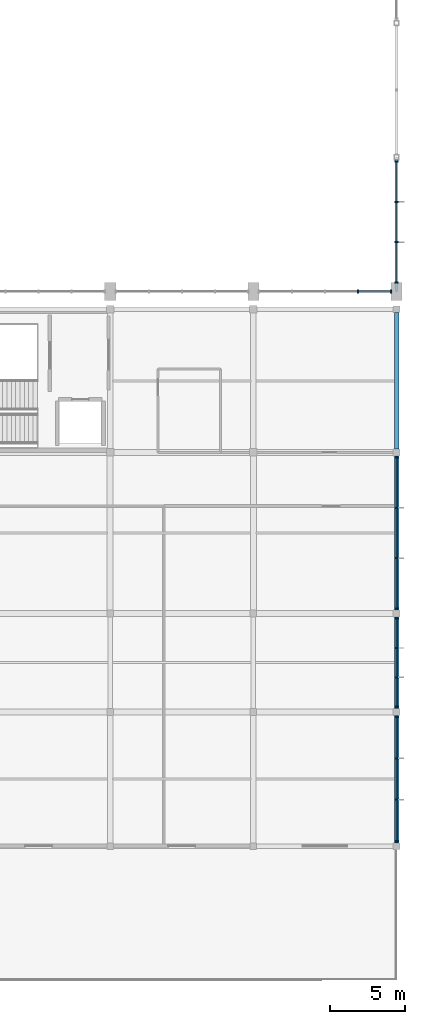
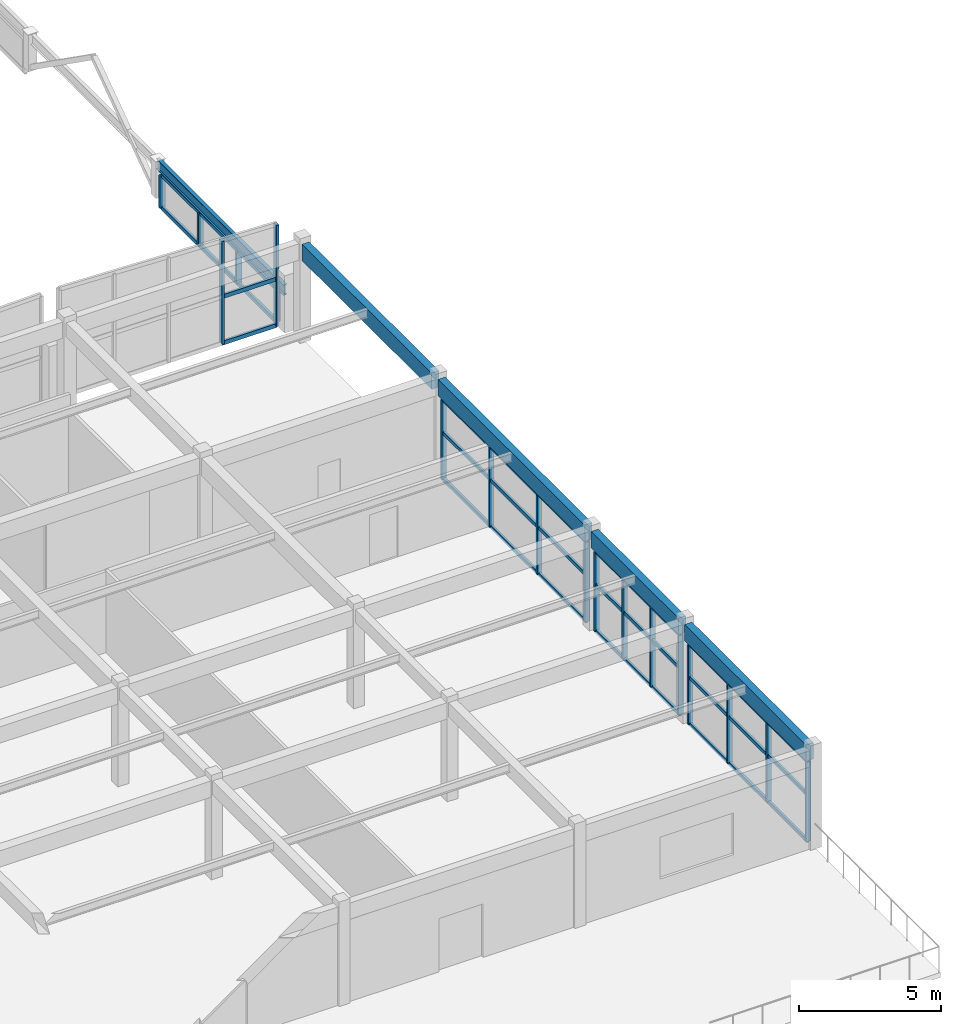
# One storey, part 41 of 89: 45 members, 5 beams, 5 elements without a shape of their own.
"""IFC4 building model written with IfcOpenShell, lengths in metres."""

import ifcopenshell
import ifcopenshell.guid

model = None  # the IFC model being written
_history = None  # IfcOwnerHistory: only IFC2X3 demands one
_inside = {}  # id of a spatial element -> (the spatial element, [elements in it])
_under = {}  # id of a project, library or spatial element -> (it, [spatial elements below it])
_declared = {}  # id of a project -> (the project, [libraries it declares])
_typed = {}  # id of a type object -> (the type object, [elements of that type])
_made_of = {}  # id of a material, layer set ... -> (it, [elements and type objects made of it])


def new_model(schema):
    """Start an empty IFC model of exactly this schema.

    Asked for "IFC4X3", IfcOpenShell would pick the latest addendum, in which some entities
    have other attributes; the version numbers below select the first issue.
    IFC2X3 requires an IfcOwnerHistory on every rooted entity: one is made here for all.
    """
    global model, _history
    if schema == "IFC4X3":
        model = ifcopenshell.file(schema_version=(4, 3, 0, 0))
    else:
        model = ifcopenshell.file(schema=schema)
    _inside.clear()
    _under.clear()
    _declared.clear()
    _typed.clear()
    _made_of.clear()
    _history = None
    if model.schema == "IFC2X3":
        org = make("IfcOrganization", Name="unknown")
        user = make(
            "IfcPersonAndOrganization",
            ThePerson=make("IfcPerson", FamilyName="unknown"),
            TheOrganization=org,
        )
        app = make(
            "IfcApplication",
            ApplicationDeveloper=org,
            Version="unknown",
            ApplicationFullName="unknown",
            ApplicationIdentifier="unknown",
        )
        _history = make(
            "IfcOwnerHistory",
            OwningUser=user,
            OwningApplication=app,
            ChangeAction="ADDED",
            CreationDate=0,
        )
    return model


def make(cls, **values):
    """One entity of the class cls with the attributes given. An attribute that is None is left unset."""
    return model.create_entity(
        cls, **{name: value for name, value in values.items() if value is not None}
    )


def rooted(cls, **values):
    """An entity with a GlobalId (a new one), such as an element, a storey or a relation."""
    return make(cls, GlobalId=ifcopenshell.guid.new(), OwnerHistory=_history, **values)


def si_unit(unit_type, name, prefix=None):
    """IfcSIUnit, for example si_unit("LENGTHUNIT", "METRE", prefix="MILLI")."""
    return make("IfcSIUnit", UnitType=unit_type, Prefix=prefix, Name=name)


def assignment(units):
    """IfcUnitAssignment: the units of a project."""
    return None if units is None else make("IfcUnitAssignment", Units=units)


def point(xyz):
    """IfcCartesianPoint."""
    return None if xyz is None else make("IfcCartesianPoint", Coordinates=xyz)


def direction(xyz):
    """IfcDirection."""
    return None if xyz is None else make("IfcDirection", DirectionRatios=xyz)


def frame(location, z_axis=None, x_axis=None):
    """IfcAxis2Placement3D, a coordinate frame: its origin and axes. An axis left out is left unset."""
    return make(
        "IfcAxis2Placement3D",
        Location=point(location),
        Axis=direction(z_axis),
        RefDirection=direction(x_axis),
    )


def frame_2d(location, x_axis=None):
    """IfcAxis2Placement2D, a coordinate frame in the plane: its origin and x axis."""
    return make(
        "IfcAxis2Placement2D", Location=point(location), RefDirection=direction(x_axis)
    )


def origin():
    """The frame at (0, 0, 0) with its axes left unset."""
    return frame((0.0, 0.0, 0.0))


def origin_2d():
    """The frame at (0, 0) in the plane with its x axis left unset."""
    return frame_2d((0.0, 0.0))


def place(relative_to, where):
    """IfcLocalPlacement: puts the frame where relative to a parent placement (None: the world)."""
    return make(
        "IfcLocalPlacement", PlacementRelTo=relative_to, RelativePlacement=where
    )


def context(
    kind, dimensions, precision=None, world=None, true_north=None, identifier=None
):
    """IfcGeometricRepresentationContext, for example the 3D "Model" context."""
    return make(
        "IfcGeometricRepresentationContext",
        ContextIdentifier=identifier,
        ContextType=kind,
        CoordinateSpaceDimension=dimensions,
        Precision=precision,
        WorldCoordinateSystem=world,
        TrueNorth=true_north,
    )


def subcontext(parent, identifier, kind, view, scale=None):
    """IfcGeometricRepresentationSubContext, for example "Body" below "Model"."""
    return make(
        "IfcGeometricRepresentationSubContext",
        ContextIdentifier=identifier,
        ContextType=kind,
        ParentContext=parent,
        TargetScale=scale,
        TargetView=view,
    )


def project(units=None, contexts=None):
    """IfcProject with its units and contexts."""
    return rooted(
        "IfcProject",
        Name="project",
        RepresentationContexts=contexts,
        UnitsInContext=assignment(units),
    )


def spatial(cls, under=None, at=None, **own):
    """A site, building, storey or space (cls), placed at a placement, below another one or the project."""
    s = rooted(cls, ObjectPlacement=at, **own)
    if under is not None:
        _under.setdefault(under.id(), (under, []))[1].append(s)
    return s


def profile(cls, at=None, kind="AREA", **sizes):
    """A parametric profile (cls). Its sizes go by their IFC names, for example OverallWidth=200.0."""
    return make(cls, ProfileType=kind, Position=at, **sizes)


def rectangle(**sizes):
    """IfcRectangleProfileDef."""
    return profile("IfcRectangleProfileDef", **sizes)


def i_section(**sizes):
    """IfcIShapeProfileDef."""
    return profile("IfcIShapeProfileDef", **sizes)


def extrude(swept, where, along, depth):
    """IfcExtrudedAreaSolid: the profile swept, set in the frame where, extruded along a direction by depth."""
    return make(
        "IfcExtrudedAreaSolid",
        SweptArea=swept,
        Position=where,
        ExtrudedDirection=direction(along),
        Depth=depth,
    )


def shape(context_of_items, identifier, shape_type, items):
    """IfcShapeRepresentation: the items that make up one representation, for example the "Body"."""
    return make(
        "IfcShapeRepresentation",
        ContextOfItems=context_of_items,
        RepresentationIdentifier=identifier,
        RepresentationType=shape_type,
        Items=items,
    )


def material(Name=None, Category=None):
    """IfcMaterial."""
    return make("IfcMaterial", Name=Name, Category=Category)


def material_profile(
    of_material, cross_section, Name=None, Category=None, Priority=None
):
    """IfcMaterialProfile: a cross section and its material."""
    return make(
        "IfcMaterialProfile",
        Name=Name,
        Material=of_material,
        Profile=cross_section,
        Priority=Priority,
        Category=Category,
    )


def profile_set(profiles, Name=None, composite=None):
    """IfcMaterialProfileSet."""
    return make(
        "IfcMaterialProfileSet",
        Name=Name,
        MaterialProfiles=profiles,
        CompositeProfile=composite,
    )


def made_of(thing, what):
    """Note that an element or type object is made of a material, layer set ...; save() writes the relation."""
    if what is not None:
        _made_of.setdefault(what.id(), (what, []))[1].append(thing)
    return thing


def type_object(cls, material=None, **own):
    """A type object (cls), such as IfcWallType, which elements share."""
    return made_of(rooted(cls, **own), material)


def element(
    cls,
    number,
    at=None,
    inside=None,
    cuts=None,
    type_object=None,
    material=None,
    context=None,
    identifier="Body",
    shape_type=None,
    held_by="IfcProductDefinitionShape",
    body=None,
    shapes=None,
    **own,
):
    """One element of the class cls, such as IfcWall. Its Tag is "e" and its number.

    at: its placement. inside: the storey or other place that contains it. cuts: it is an
    opening in that element (IfcRelVoidsElement). A single representation is given by context,
    identifier, shape_type and body (its items); several are given by shapes. held_by: the class
    of the entity that holds the representations. save() writes the other relations.
    """
    e = rooted(cls, Tag="e%d" % number, ObjectPlacement=at, **own)
    if body is not None:
        shapes = [shape(context, identifier, shape_type, body)]
    if shapes is not None:
        e.Representation = make(held_by, Representations=shapes)
    if inside is not None:
        _inside.setdefault(inside.id(), (inside, []))[1].append(e)
    if cuts is not None:
        rooted(
            "IfcRelVoidsElement", RelatingBuildingElement=cuts, RelatedOpeningElement=e
        )
    if type_object is not None:
        _typed.setdefault(type_object.id(), (type_object, []))[1].append(e)
    return made_of(e, material)


def aggregate(whole, parts):
    """IfcRelAggregates: a whole, such as a stair, and the parts it consists of."""
    return rooted("IfcRelAggregates", RelatingObject=whole, RelatedObjects=parts)


def save(model, path):
    """Write the relations noted so far, then the file.

    IfcRelAggregates (storeys below a building ...), IfcRelContainedInSpatialStructure (elements
    in a storey), IfcRelDefinesByType, IfcRelAssociatesMaterial and IfcRelDeclares: one each for
    every whole, place, type object, material and project.
    """
    for whole, parts in _under.values():
        aggregate(whole, parts)
    for where, things in _inside.values():
        rooted(
            "IfcRelContainedInSpatialStructure",
            RelatedElements=things,
            RelatingStructure=where,
        )
    for kind, things in _typed.values():
        rooted("IfcRelDefinesByType", RelatedObjects=things, RelatingType=kind)
    for what, things in _made_of.values():
        rooted("IfcRelAssociatesMaterial", RelatedObjects=things, RelatingMaterial=what)
    for by, libraries in _declared.values():
        rooted("IfcRelDeclares", RelatingContext=by, RelatedDefinitions=libraries)
    model.write(path)


model = new_model("IFC4")

# Units and contexts
model_context = context("Model", 3, precision=1e-05, world=origin(), true_north=direction((0.0, 1.0)))
body_context = subcontext(model_context, "Body", "Model", "MODEL_VIEW")
ifc_project = project(units=[si_unit("LENGTHUNIT", "METRE"), si_unit("AREAUNIT", "SQUARE_METRE"), si_unit("VOLUMEUNIT", "CUBIC_METRE"), si_unit("PLANEANGLEUNIT", "RADIAN"), si_unit("MASSUNIT", "GRAM", prefix="KILO")], contexts=[model_context])

# Site, building, storey
site_placement = place(None, origin())
site = spatial("IfcSite", under=ifc_project, at=site_placement, CompositionType="ELEMENT")
building_placement = place(site_placement, origin())
building = spatial("IfcBuilding", under=site, at=building_placement, Name="Suirenkawa Promenade Aquatics Centre", CompositionType="ELEMENT")
storey_placement = place(building_placement, frame((0.0, 0.0, 9.60009765625)))
storey = spatial("IfcBuildingStorey", under=building, at=storey_placement, Name="L02", CompositionType="ELEMENT", Elevation=9.60009765625)

# Beams
ifc_material_1 = material(Name="Concrete M40", Category="concrete")
ifc_material_profile_1 = material_profile(ifc_material_1, rectangle(XDim=0.300048828125, YDim=0.699951171875, at=origin_2d()), Name="RC SPANDREL 300x700", Category="concrete")
ifc_profile_set_1 = profile_set([ifc_material_profile_1], Name="Concrete M40")
beam_type_1 = type_object("IfcBeamType", Name="BT-SPANDREL-300x700", PredefinedType="SPANDREL", material=ifc_profile_set_1)
beam_1_placement = place(storey_placement, frame((194.39990234375, 13.4189453125, 3.89990234375), z_axis=(0.0, 1.0, 0.0), x_axis=(-1.0, 0.0, 0.0)))
element("IfcBeam", 1, at=beam_1_placement, inside=storey, type_object=beam_type_1, Name="Floor beam SP-01 BM-1776", PredefinedType="SPANDREL", context=body_context, shape_type="SweptSolid", body=[
    extrude(rectangle(XDim=0.300048828125, YDim=0.699951171875, at=origin_2d()), origin(), (0.0, 0.0, 1.0), 8.56201171875),
])
beam_2_placement = place(storey_placement, frame((194.39990234375, 22.4189453125, 3.89990234375), z_axis=(0.0, 1.0, 0.0), x_axis=(-1.0, 0.0, 0.0)))
element("IfcBeam", 2, at=beam_2_placement, inside=storey, type_object=beam_type_1, Name="Floor beam SP-01 BM-1777", PredefinedType="SPANDREL", context=body_context, shape_type="SweptSolid", body=[
    extrude(rectangle(XDim=0.300048828125, YDim=0.699951171875, at=origin_2d()), origin(), (0.0, 0.0, 1.0), 6.162109375),
])
beam_3_placement = place(storey_placement, frame((194.39990234375, 29.01904296875, 3.89990234375), z_axis=(0.0, 1.0, 0.0), x_axis=(-1.0, 0.0, 0.0)))
element("IfcBeam", 3, at=beam_3_placement, inside=storey, type_object=beam_type_1, Name="Floor beam SP-01 BM-1778", PredefinedType="SPANDREL", context=body_context, shape_type="SweptSolid", body=[
    extrude(rectangle(XDim=0.300048828125, YDim=0.699951171875, at=origin_2d()), origin(), (0.0, 0.0, 1.0), 10.362060546875),
])
beam_4_placement = place(storey_placement, frame((194.39990234375, 39.819091796875, 3.89990234375), z_axis=(0.0, 1.0, 0.0), x_axis=(-1.0, 0.0, 0.0)))
element("IfcBeam", 4, at=beam_4_placement, inside=storey, type_object=beam_type_1, Name="Floor beam SP-01 BM-1779", PredefinedType="SPANDREL", context=body_context, shape_type="SweptSolid", body=[
    extrude(rectangle(XDim=0.300048828125, YDim=0.699951171875, at=origin_2d()), origin(), (0.0, 0.0, 1.0), 9.161865234375),
])
ifc_material_2 = material(Name="Steel IS 2062 E350 (Grade 350)", Category="steel")
ifc_material_profile_2 = material_profile(ifc_material_2, i_section(OverallWidth=0.14990234375, OverallDepth=0.449951171875, WebThickness=0.009033203125, FlangeThickness=0.01708984375, at=origin_2d()), Name="ISMB 450", Category="steel")
ifc_profile_set_2 = profile_set([ifc_material_profile_2], Name="Steel IS 2062 E350 (Grade 350)")
beam_type_2 = type_object("IfcBeamType", Name="BT-STL-ISMB450", PredefinedType="BEAM", material=ifc_profile_set_2)
beam_5_placement = place(storey_placement, frame((194.39990234375, 50.39990234375, 1.375), z_axis=(0.0, 1.0, 0.0), x_axis=(-1.0, 0.0, 0.0)))
element("IfcBeam", 5, at=beam_5_placement, inside=storey, type_object=beam_type_2, Name="Diving hall wind girt BM-08 BM-1365", PredefinedType="BEAM", context=body_context, shape_type="SweptSolid", body=[
    extrude(i_section(OverallWidth=0.14990234375, OverallDepth=0.449951171875, WebThickness=0.009033203125, FlangeThickness=0.01708984375, at=origin_2d()), origin(), (0.0, 0.0, 1.0), 9.0),
])

# Curtain wall, members
ifc_material_3 = material(Name="Anodised aluminium 6063-T6", Category="aluminium")
curtain_wall_type_1 = type_object("IfcCurtainWallType", Name="CWAT-V4EL02-37", PredefinedType="NOTDEFINED", material=ifc_material_3)
curtain_wall_1_placement = place(storey_placement, origin())
curtain_wall_1 = element("IfcCurtainWall", 6, at=curtain_wall_1_placement, inside=storey, type_object=curtain_wall_type_1, Name="Curtain wall CWA-37 CW-080", PredefinedType="NOTDEFINED")
ifc_material_profile_3 = material_profile(ifc_material_3, rectangle(XDim=0.094970703125, YDim=0.18994140625, at=origin_2d()), Name="ALU MULL 95x190", Category="aluminium")
ifc_profile_set_3 = profile_set([ifc_material_profile_3], Name="Anodised aluminium 6063-T6")
member_type_1 = type_object("IfcMemberType", Name="CWM-190x95", PredefinedType="MULLION", material=ifc_profile_set_3)
member_1_placement = place(storey_placement, frame((194.39990234375, 21.85107421875, 0.0), z_axis=(0.0, 0.0, 1.0), x_axis=(0.0, -1.0, 0.0)))
member_1 = element("IfcMember", 7, at=member_1_placement, type_object=member_type_1, Name="Mullion ML-02 CWM-01584", PredefinedType="MULLION", context=body_context, shape_type="SweptSolid", body=[
    extrude(rectangle(XDim=0.094970703125, YDim=0.18994140625, at=origin_2d()), origin(), (0.0, 0.0, 1.0), 3.419921875),
])
member_2_placement = place(storey_placement, frame((194.39990234375, 19.083740234375, 0.0), z_axis=(0.0, 0.0, 1.0), x_axis=(0.0, -1.0, 0.0)))
member_2 = element("IfcMember", 8, at=member_2_placement, type_object=member_type_1, Name="Mullion ML-02 CWM-01585", PredefinedType="MULLION", context=body_context, shape_type="SweptSolid", body=[
    extrude(rectangle(XDim=0.094970703125, YDim=0.18994140625, at=origin_2d()), origin(), (0.0, 0.0, 1.0), 3.419921875),
])
member_3_placement = place(storey_placement, frame((194.39990234375, 16.31640625, 0.0), z_axis=(0.0, 0.0, 1.0), x_axis=(0.0, -1.0, 0.0)))
member_3 = element("IfcMember", 9, at=member_3_placement, type_object=member_type_1, Name="Mullion ML-02 CWM-01586", PredefinedType="MULLION", context=body_context, shape_type="SweptSolid", body=[
    extrude(rectangle(XDim=0.094970703125, YDim=0.18994140625, at=origin_2d()), origin(), (0.0, 0.0, 1.0), 3.419921875),
])
member_4_placement = place(storey_placement, frame((194.39990234375, 13.549072265625, 0.0), z_axis=(0.0, 0.0, 1.0), x_axis=(0.0, -1.0, 0.0)))
member_4 = element("IfcMember", 10, at=member_4_placement, type_object=member_type_1, Name="Mullion ML-02 CWM-01587", PredefinedType="MULLION", context=body_context, shape_type="SweptSolid", body=[
    extrude(rectangle(XDim=0.094970703125, YDim=0.18994140625, at=origin_2d()), origin(), (0.0, 0.0, 1.0), 3.419921875),
])

curtain_wall_type_2 = type_object("IfcCurtainWallType", Name="CWAT-V4EL02-39", PredefinedType="NOTDEFINED", material=ifc_material_3)
curtain_wall_2_placement = place(storey_placement, origin())
curtain_wall_2 = element("IfcCurtainWall", 11, at=curtain_wall_2_placement, inside=storey, type_object=curtain_wall_type_2, Name="Curtain wall CWA-39 CW-082", PredefinedType="NOTDEFINED")
member_5_placement = place(storey_placement, frame((194.39990234375, 28.450927734375, 0.0), z_axis=(0.0, 0.0, 1.0), x_axis=(0.0, -1.0, 0.0)))
member_5 = element("IfcMember", 12, at=member_5_placement, type_object=member_type_1, Name="Mullion ML-02 CWM-01618", PredefinedType="MULLION", context=body_context, shape_type="SweptSolid", body=[
    extrude(rectangle(XDim=0.094970703125, YDim=0.18994140625, at=origin_2d()), origin(), (0.0, 0.0, 1.0), 3.419921875),
])
member_6_placement = place(storey_placement, frame((194.39990234375, 26.483642578125, 0.0), z_axis=(0.0, 0.0, 1.0), x_axis=(0.0, -1.0, 0.0)))
member_6 = element("IfcMember", 13, at=member_6_placement, type_object=member_type_1, Name="Mullion ML-02 CWM-01619", PredefinedType="MULLION", context=body_context, shape_type="SweptSolid", body=[
    extrude(rectangle(XDim=0.094970703125, YDim=0.18994140625, at=origin_2d()), origin(), (0.0, 0.0, 1.0), 3.419921875),
])
member_7_placement = place(storey_placement, frame((194.39990234375, 24.516357421875, 0.0), z_axis=(0.0, 0.0, 1.0), x_axis=(0.0, -1.0, 0.0)))
member_7 = element("IfcMember", 14, at=member_7_placement, type_object=member_type_1, Name="Mullion ML-02 CWM-01620", PredefinedType="MULLION", context=body_context, shape_type="SweptSolid", body=[
    extrude(rectangle(XDim=0.094970703125, YDim=0.18994140625, at=origin_2d()), origin(), (0.0, 0.0, 1.0), 3.419921875),
])
member_8_placement = place(storey_placement, frame((194.39990234375, 22.549072265625, 0.0), z_axis=(0.0, 0.0, 1.0), x_axis=(0.0, -1.0, 0.0)))
member_8 = element("IfcMember", 15, at=member_8_placement, type_object=member_type_1, Name="Mullion ML-02 CWM-01621", PredefinedType="MULLION", context=body_context, shape_type="SweptSolid", body=[
    extrude(rectangle(XDim=0.094970703125, YDim=0.18994140625, at=origin_2d()), origin(), (0.0, 0.0, 1.0), 3.419921875),
])

curtain_wall_type_3 = type_object("IfcCurtainWallType", Name="CWAT-V4EL02-41", PredefinedType="NOTDEFINED", material=ifc_material_3)
curtain_wall_3_placement = place(storey_placement, origin())
curtain_wall_3 = element("IfcCurtainWall", 16, at=curtain_wall_3_placement, inside=storey, type_object=curtain_wall_type_3, Name="Curtain wall CWA-41 CW-084", PredefinedType="NOTDEFINED")
member_9_placement = place(storey_placement, frame((194.39990234375, 39.2509765625, 0.0), z_axis=(0.0, 0.0, 1.0), x_axis=(0.0, -1.0, 0.0)))
member_9 = element("IfcMember", 17, at=member_9_placement, type_object=member_type_1, Name="Mullion ML-02 CWM-01652", PredefinedType="MULLION", context=body_context, shape_type="SweptSolid", body=[
    extrude(rectangle(XDim=0.094970703125, YDim=0.18994140625, at=origin_2d()), origin(), (0.0, 0.0, 1.0), 3.419921875),
])
member_10_placement = place(storey_placement, frame((194.39990234375, 35.8837890625, 0.0), z_axis=(0.0, 0.0, 1.0), x_axis=(0.0, -1.0, 0.0)))
member_10 = element("IfcMember", 18, at=member_10_placement, type_object=member_type_1, Name="Mullion ML-02 CWM-01653", PredefinedType="MULLION", context=body_context, shape_type="SweptSolid", body=[
    extrude(rectangle(XDim=0.094970703125, YDim=0.18994140625, at=origin_2d()), origin(), (0.0, 0.0, 1.0), 3.419921875),
])
member_11_placement = place(storey_placement, frame((194.39990234375, 32.516357421875, 0.0), z_axis=(0.0, 0.0, 1.0), x_axis=(0.0, -1.0, 0.0)))
member_11 = element("IfcMember", 19, at=member_11_placement, type_object=member_type_1, Name="Mullion ML-02 CWM-01654", PredefinedType="MULLION", context=body_context, shape_type="SweptSolid", body=[
    extrude(rectangle(XDim=0.094970703125, YDim=0.18994140625, at=origin_2d()), origin(), (0.0, 0.0, 1.0), 3.419921875),
])
member_12_placement = place(storey_placement, frame((194.39990234375, 29.14892578125, 0.0), z_axis=(0.0, 0.0, 1.0), x_axis=(0.0, -1.0, 0.0)))
member_12 = element("IfcMember", 20, at=member_12_placement, type_object=member_type_1, Name="Mullion ML-02 CWM-01655", PredefinedType="MULLION", context=body_context, shape_type="SweptSolid", body=[
    extrude(rectangle(XDim=0.094970703125, YDim=0.18994140625, at=origin_2d()), origin(), (0.0, 0.0, 1.0), 3.419921875),
])

curtain_wall_type_4 = type_object("IfcCurtainWallType", Name="CWAT-V2S-16", PredefinedType="NOTDEFINED", material=ifc_material_3)
curtain_wall_4_placement = place(storey_placement, origin())
curtain_wall_4 = element("IfcCurtainWall", 21, at=curtain_wall_4_placement, inside=storey, type_object=curtain_wall_type_4, Name="Curtain wall CWA-16 CW-045", PredefinedType="NOTDEFINED")
ifc_material_profile_4 = material_profile(ifc_material_3, rectangle(XDim=0.10009765625, YDim=0.219970703125, at=origin_2d()), Name="ALU MULL 100x220", Category="aluminium")
ifc_profile_set_4 = profile_set([ifc_material_profile_4], Name="Anodised aluminium 6063-T6")
member_type_2 = type_object("IfcMemberType", Name="CWM-220x100", PredefinedType="MULLION", material=ifc_profile_set_4)
member_13_placement = place(storey_placement, frame((194.02587890625, 50.39990234375, 0.0), z_axis=(0.0, 0.0, 1.0), x_axis=(-1.0, 0.0, 0.0)))
member_13 = element("IfcMember", 22, at=member_13_placement, type_object=member_type_2, Name="Mullion ML-01 CWM-00917", PredefinedType="MULLION", context=body_context, shape_type="SweptSolid", body=[
    extrude(rectangle(XDim=0.10009765625, YDim=0.219970703125, at=origin_2d()), origin(), (0.0, 0.0, 1.0), 4.349853515625),
])
member_14_placement = place(storey_placement, frame((191.81298828125, 50.39990234375, 0.0), z_axis=(0.0, 0.0, 1.0), x_axis=(-1.0, 0.0, 0.0)))
member_14 = element("IfcMember", 23, at=member_14_placement, type_object=member_type_2, Name="Mullion ML-01 CWM-00918", PredefinedType="MULLION", context=body_context, shape_type="SweptSolid", body=[
    extrude(rectangle(XDim=0.10009765625, YDim=0.219970703125, at=origin_2d()), origin(), (0.0, 0.0, 1.0), 4.4248046875),
])

curtain_wall_type_5 = type_object("IfcCurtainWallType", Name="CWAT-V2E-21", PredefinedType="NOTDEFINED", material=ifc_material_3)
curtain_wall_5_placement = place(storey_placement, origin())
curtain_wall_5 = element("IfcCurtainWall", 24, at=curtain_wall_5_placement, inside=storey, type_object=curtain_wall_type_5, Name="Curtain wall CWA-21 CW-049", PredefinedType="NOTDEFINED")
member_15_placement = place(storey_placement, frame((194.39990234375, 59.10107421875, -0.35009765625), z_axis=(0.0, 0.0, 1.0), x_axis=(0.0, -1.0, 0.0)))
member_15 = element("IfcMember", 25, at=member_15_placement, type_object=member_type_2, Name="Mullion ML-01 CWM-00990", PredefinedType="MULLION", context=body_context, shape_type="SweptSolid", body=[
    extrude(rectangle(XDim=0.10009765625, YDim=0.219970703125, at=origin_2d()), origin(), (0.0, 0.0, 1.0), 1.405029296875),
])
member_16_placement = place(storey_placement, frame((194.39990234375, 56.400390625, -0.35009765625), z_axis=(0.0, 0.0, 1.0), x_axis=(0.0, -1.0, 0.0)))
member_16 = element("IfcMember", 26, at=member_16_placement, type_object=member_type_2, Name="Mullion ML-01 CWM-00991", PredefinedType="MULLION", context=body_context, shape_type="SweptSolid", body=[
    extrude(rectangle(XDim=0.10009765625, YDim=0.219970703125, at=origin_2d()), origin(), (0.0, 0.0, 1.0), 1.405029296875),
])
member_17_placement = place(storey_placement, frame((194.39990234375, 53.69970703125, -0.35009765625), z_axis=(0.0, 0.0, 1.0), x_axis=(0.0, -1.0, 0.0)))
member_17 = element("IfcMember", 27, at=member_17_placement, type_object=member_type_2, Name="Mullion ML-01 CWM-00992", PredefinedType="MULLION", context=body_context, shape_type="SweptSolid", body=[
    extrude(rectangle(XDim=0.10009765625, YDim=0.219970703125, at=origin_2d()), origin(), (0.0, 0.0, 1.0), 1.405029296875),
])
member_18_placement = place(storey_placement, frame((194.39990234375, 50.9990234375, -0.35009765625), z_axis=(0.0, 0.0, 1.0), x_axis=(0.0, -1.0, 0.0)))
member_18 = element("IfcMember", 28, at=member_18_placement, type_object=member_type_2, Name="Mullion ML-01 CWM-00993", PredefinedType="MULLION", context=body_context, shape_type="SweptSolid", body=[
    extrude(rectangle(XDim=0.10009765625, YDim=0.219970703125, at=origin_2d()), origin(), (0.0, 0.0, 1.0), 1.405029296875),
])

# Member
ifc_material_profile_5 = material_profile(ifc_material_3, rectangle(XDim=0.094970703125, YDim=0.14990234375, at=origin_2d()), Name="ALU TRAN 95x150", Category="aluminium")
ifc_profile_set_5 = profile_set([ifc_material_profile_5], Name="Anodised aluminium 6063-T6")
member_type_3 = type_object("IfcMemberType", Name="CWT-150x95", PredefinedType="USERDEFINED", material=ifc_profile_set_5)
member_19_placement = place(storey_placement, frame((194.39990234375, 21.85107421875, 0.0), z_axis=(0.0, -1.0, 0.0), x_axis=(1.0, 0.0, 0.0)))
member_19 = element("IfcMember", 29, at=member_19_placement, type_object=member_type_3, Name="Transom TR-02 CWT-01588", ObjectType="TRANSOM", PredefinedType="USERDEFINED", context=body_context, shape_type="SweptSolid", body=[
    extrude(rectangle(XDim=0.094970703125, YDim=0.14990234375, at=origin_2d()), origin(), (0.0, 0.0, 1.0), 2.767333984375),
])

member_20_placement = place(storey_placement, frame((194.39990234375, 19.083740234375, 0.0), z_axis=(0.0, -1.0, 0.0), x_axis=(1.0, 0.0, 0.0)))
member_20 = element("IfcMember", 30, at=member_20_placement, type_object=member_type_3, Name="Transom TR-02 CWT-01589", ObjectType="TRANSOM", PredefinedType="USERDEFINED", context=body_context, shape_type="SweptSolid", body=[
    extrude(rectangle(XDim=0.094970703125, YDim=0.14990234375, at=origin_2d()), origin(), (0.0, 0.0, 1.0), 2.767333984375),
])

member_21_placement = place(storey_placement, frame((194.39990234375, 16.31640625, 0.0), z_axis=(0.0, -1.0, 0.0), x_axis=(1.0, 0.0, 0.0)))
member_21 = element("IfcMember", 31, at=member_21_placement, type_object=member_type_3, Name="Transom TR-02 CWT-01590", ObjectType="TRANSOM", PredefinedType="USERDEFINED", context=body_context, shape_type="SweptSolid", body=[
    extrude(rectangle(XDim=0.094970703125, YDim=0.14990234375, at=origin_2d()), origin(), (0.0, 0.0, 1.0), 2.767333984375),
])

member_22_placement = place(storey_placement, frame((194.39990234375, 21.85107421875, 2.0), z_axis=(0.0, -1.0, 0.0), x_axis=(1.0, 0.0, 0.0)))
member_22 = element("IfcMember", 32, at=member_22_placement, type_object=member_type_3, Name="Transom TR-02 CWT-01591", ObjectType="TRANSOM", PredefinedType="USERDEFINED", context=body_context, shape_type="SweptSolid", body=[
    extrude(rectangle(XDim=0.094970703125, YDim=0.14990234375, at=origin_2d()), origin(), (0.0, 0.0, 1.0), 2.767333984375),
])

member_23_placement = place(storey_placement, frame((194.39990234375, 19.083740234375, 2.0), z_axis=(0.0, -1.0, 0.0), x_axis=(1.0, 0.0, 0.0)))
member_23 = element("IfcMember", 33, at=member_23_placement, type_object=member_type_3, Name="Transom TR-02 CWT-01592", ObjectType="TRANSOM", PredefinedType="USERDEFINED", context=body_context, shape_type="SweptSolid", body=[
    extrude(rectangle(XDim=0.094970703125, YDim=0.14990234375, at=origin_2d()), origin(), (0.0, 0.0, 1.0), 2.767333984375),
])

member_24_placement = place(storey_placement, frame((194.39990234375, 16.31640625, 2.0), z_axis=(0.0, -1.0, 0.0), x_axis=(1.0, 0.0, 0.0)))
member_24 = element("IfcMember", 34, at=member_24_placement, type_object=member_type_3, Name="Transom TR-02 CWT-01593", ObjectType="TRANSOM", PredefinedType="USERDEFINED", context=body_context, shape_type="SweptSolid", body=[
    extrude(rectangle(XDim=0.094970703125, YDim=0.14990234375, at=origin_2d()), origin(), (0.0, 0.0, 1.0), 2.767333984375),
])

member_25_placement = place(storey_placement, frame((194.39990234375, 21.85107421875, 3.419921875), z_axis=(0.0, -1.0, 0.0), x_axis=(1.0, 0.0, 0.0)))
member_25 = element("IfcMember", 35, at=member_25_placement, type_object=member_type_3, Name="Roofline transom TR-02 CWT-01594", ObjectType="TRANSOM", PredefinedType="USERDEFINED", context=body_context, shape_type="SweptSolid", body=[
    extrude(rectangle(XDim=0.094970703125, YDim=0.14990234375, at=origin_2d()), origin(), (0.0, 0.0, 1.0), 8.302001953125),
])

aggregate(curtain_wall_1, [member_1, member_2, member_3, member_4, member_19, member_20, member_21, member_22, member_23, member_24, member_25])

member_26_placement = place(storey_placement, frame((194.39990234375, 28.450927734375, 0.0), z_axis=(0.0, -1.0, 0.0), x_axis=(1.0, 0.0, 0.0)))
member_26 = element("IfcMember", 36, at=member_26_placement, type_object=member_type_3, Name="Transom TR-02 CWT-01622", ObjectType="TRANSOM", PredefinedType="USERDEFINED", context=body_context, shape_type="SweptSolid", body=[
    extrude(rectangle(XDim=0.094970703125, YDim=0.14990234375, at=origin_2d()), origin(), (0.0, 0.0, 1.0), 1.96728515625),
])

member_27_placement = place(storey_placement, frame((194.39990234375, 26.483642578125, 0.0), z_axis=(0.0, -1.0, 0.0), x_axis=(1.0, 0.0, 0.0)))
member_27 = element("IfcMember", 37, at=member_27_placement, type_object=member_type_3, Name="Transom TR-02 CWT-01623", ObjectType="TRANSOM", PredefinedType="USERDEFINED", context=body_context, shape_type="SweptSolid", body=[
    extrude(rectangle(XDim=0.094970703125, YDim=0.14990234375, at=origin_2d()), origin(), (0.0, 0.0, 1.0), 1.96728515625),
])

member_28_placement = place(storey_placement, frame((194.39990234375, 24.516357421875, 0.0), z_axis=(0.0, -1.0, 0.0), x_axis=(1.0, 0.0, 0.0)))
member_28 = element("IfcMember", 38, at=member_28_placement, type_object=member_type_3, Name="Transom TR-02 CWT-01624", ObjectType="TRANSOM", PredefinedType="USERDEFINED", context=body_context, shape_type="SweptSolid", body=[
    extrude(rectangle(XDim=0.094970703125, YDim=0.14990234375, at=origin_2d()), origin(), (0.0, 0.0, 1.0), 1.96728515625),
])

member_29_placement = place(storey_placement, frame((194.39990234375, 28.450927734375, 2.0), z_axis=(0.0, -1.0, 0.0), x_axis=(1.0, 0.0, 0.0)))
member_29 = element("IfcMember", 39, at=member_29_placement, type_object=member_type_3, Name="Transom TR-02 CWT-01625", ObjectType="TRANSOM", PredefinedType="USERDEFINED", context=body_context, shape_type="SweptSolid", body=[
    extrude(rectangle(XDim=0.094970703125, YDim=0.14990234375, at=origin_2d()), origin(), (0.0, 0.0, 1.0), 1.96728515625),
])

member_30_placement = place(storey_placement, frame((194.39990234375, 26.483642578125, 2.0), z_axis=(0.0, -1.0, 0.0), x_axis=(1.0, 0.0, 0.0)))
member_30 = element("IfcMember", 40, at=member_30_placement, type_object=member_type_3, Name="Transom TR-02 CWT-01626", ObjectType="TRANSOM", PredefinedType="USERDEFINED", context=body_context, shape_type="SweptSolid", body=[
    extrude(rectangle(XDim=0.094970703125, YDim=0.14990234375, at=origin_2d()), origin(), (0.0, 0.0, 1.0), 1.96728515625),
])

member_31_placement = place(storey_placement, frame((194.39990234375, 24.516357421875, 2.0), z_axis=(0.0, -1.0, 0.0), x_axis=(1.0, 0.0, 0.0)))
member_31 = element("IfcMember", 41, at=member_31_placement, type_object=member_type_3, Name="Transom TR-02 CWT-01627", ObjectType="TRANSOM", PredefinedType="USERDEFINED", context=body_context, shape_type="SweptSolid", body=[
    extrude(rectangle(XDim=0.094970703125, YDim=0.14990234375, at=origin_2d()), origin(), (0.0, 0.0, 1.0), 1.96728515625),
])

member_32_placement = place(storey_placement, frame((194.39990234375, 28.450927734375, 3.419921875), z_axis=(0.0, -1.0, 0.0), x_axis=(1.0, 0.0, 0.0)))
member_32 = element("IfcMember", 42, at=member_32_placement, type_object=member_type_3, Name="Roofline transom TR-02 CWT-01628", ObjectType="TRANSOM", PredefinedType="USERDEFINED", context=body_context, shape_type="SweptSolid", body=[
    extrude(rectangle(XDim=0.094970703125, YDim=0.14990234375, at=origin_2d()), origin(), (0.0, 0.0, 1.0), 5.90185546875),
])

aggregate(curtain_wall_2, [member_5, member_6, member_7, member_8, member_26, member_27, member_28, member_29, member_30, member_31, member_32])

member_33_placement = place(storey_placement, frame((194.39990234375, 39.2509765625, 0.0), z_axis=(0.0, -1.0, 0.0), x_axis=(1.0, 0.0, 0.0)))
member_33 = element("IfcMember", 43, at=member_33_placement, type_object=member_type_3, Name="Transom TR-02 CWT-01656", ObjectType="TRANSOM", PredefinedType="USERDEFINED", context=body_context, shape_type="SweptSolid", body=[
    extrude(rectangle(XDim=0.094970703125, YDim=0.14990234375, at=origin_2d()), origin(), (0.0, 0.0, 1.0), 3.3671875),
])

member_34_placement = place(storey_placement, frame((194.39990234375, 35.8837890625, 0.0), z_axis=(0.0, -1.0, 0.0), x_axis=(1.0, 0.0, 0.0)))
member_34 = element("IfcMember", 44, at=member_34_placement, type_object=member_type_3, Name="Transom TR-02 CWT-01657", ObjectType="TRANSOM", PredefinedType="USERDEFINED", context=body_context, shape_type="SweptSolid", body=[
    extrude(rectangle(XDim=0.094970703125, YDim=0.14990234375, at=origin_2d()), origin(), (0.0, 0.0, 1.0), 3.367431640625),
])

member_35_placement = place(storey_placement, frame((194.39990234375, 32.516357421875, 0.0), z_axis=(0.0, -1.0, 0.0), x_axis=(1.0, 0.0, 0.0)))
member_35 = element("IfcMember", 45, at=member_35_placement, type_object=member_type_3, Name="Transom TR-02 CWT-01658", ObjectType="TRANSOM", PredefinedType="USERDEFINED", context=body_context, shape_type="SweptSolid", body=[
    extrude(rectangle(XDim=0.094970703125, YDim=0.14990234375, at=origin_2d()), origin(), (0.0, 0.0, 1.0), 3.367431640625),
])

member_36_placement = place(storey_placement, frame((194.39990234375, 39.2509765625, 2.0), z_axis=(0.0, -1.0, 0.0), x_axis=(1.0, 0.0, 0.0)))
member_36 = element("IfcMember", 46, at=member_36_placement, type_object=member_type_3, Name="Transom TR-02 CWT-01659", ObjectType="TRANSOM", PredefinedType="USERDEFINED", context=body_context, shape_type="SweptSolid", body=[
    extrude(rectangle(XDim=0.094970703125, YDim=0.14990234375, at=origin_2d()), origin(), (0.0, 0.0, 1.0), 3.3671875),
])

member_37_placement = place(storey_placement, frame((194.39990234375, 35.8837890625, 2.0), z_axis=(0.0, -1.0, 0.0), x_axis=(1.0, 0.0, 0.0)))
member_37 = element("IfcMember", 47, at=member_37_placement, type_object=member_type_3, Name="Transom TR-02 CWT-01660", ObjectType="TRANSOM", PredefinedType="USERDEFINED", context=body_context, shape_type="SweptSolid", body=[
    extrude(rectangle(XDim=0.094970703125, YDim=0.14990234375, at=origin_2d()), origin(), (0.0, 0.0, 1.0), 3.367431640625),
])

member_38_placement = place(storey_placement, frame((194.39990234375, 32.516357421875, 2.0), z_axis=(0.0, -1.0, 0.0), x_axis=(1.0, 0.0, 0.0)))
member_38 = element("IfcMember", 48, at=member_38_placement, type_object=member_type_3, Name="Transom TR-02 CWT-01661", ObjectType="TRANSOM", PredefinedType="USERDEFINED", context=body_context, shape_type="SweptSolid", body=[
    extrude(rectangle(XDim=0.094970703125, YDim=0.14990234375, at=origin_2d()), origin(), (0.0, 0.0, 1.0), 3.367431640625),
])

member_39_placement = place(storey_placement, frame((194.39990234375, 39.2509765625, 3.419921875), z_axis=(0.0, -1.0, 0.0), x_axis=(1.0, 0.0, 0.0)))
member_39 = element("IfcMember", 49, at=member_39_placement, type_object=member_type_3, Name="Roofline transom TR-02 CWT-01662", ObjectType="TRANSOM", PredefinedType="USERDEFINED", context=body_context, shape_type="SweptSolid", body=[
    extrude(rectangle(XDim=0.094970703125, YDim=0.14990234375, at=origin_2d()), origin(), (0.0, 0.0, 1.0), 10.10205078125),
])

aggregate(curtain_wall_3, [member_9, member_10, member_11, member_12, member_33, member_34, member_35, member_36, member_37, member_38, member_39])

ifc_material_profile_6 = material_profile(ifc_material_3, rectangle(XDim=0.10009765625, YDim=0.169921875, at=origin_2d()), Name="ALU TRAN 100x170", Category="aluminium")
ifc_profile_set_6 = profile_set([ifc_material_profile_6], Name="Anodised aluminium 6063-T6")
member_type_4 = type_object("IfcMemberType", Name="CWT-170x100", PredefinedType="USERDEFINED", material=ifc_profile_set_6)
member_40_placement = place(storey_placement, frame((194.02587890625, 50.39990234375, 0.0), z_axis=(-1.0, 0.0, 0.0), x_axis=(0.0, -1.0, 0.0)))
member_40 = element("IfcMember", 50, at=member_40_placement, type_object=member_type_4, Name="Transom TR-01 CWT-00922", ObjectType="TRANSOM", PredefinedType="USERDEFINED", context=body_context, shape_type="SweptSolid", body=[
    extrude(rectangle(XDim=0.10009765625, YDim=0.169921875, at=origin_2d()), origin(), (0.0, 0.0, 1.0), 2.212890625),
])

member_41_placement = place(storey_placement, frame((194.02587890625, 50.39990234375, 2.0), z_axis=(-1.0, 0.0, 0.0), x_axis=(0.0, -1.0, 0.0)))
member_41 = element("IfcMember", 51, at=member_41_placement, type_object=member_type_4, Name="Transom TR-01 CWT-00926", ObjectType="TRANSOM", PredefinedType="USERDEFINED", context=body_context, shape_type="SweptSolid", body=[
    extrude(rectangle(XDim=0.10009765625, YDim=0.169921875, at=origin_2d()), origin(), (0.0, 0.0, 1.0), 2.212890625),
])

aggregate(curtain_wall_4, [member_13, member_14, member_40, member_41])

member_42_placement = place(storey_placement, frame((194.39990234375, 59.10107421875, -0.35009765625), z_axis=(0.0, -1.0, 0.0), x_axis=(1.0, 0.0, 0.0)))
member_42 = element("IfcMember", 52, at=member_42_placement, type_object=member_type_4, Name="Transom TR-01 CWT-00994", ObjectType="TRANSOM", PredefinedType="USERDEFINED", context=body_context, shape_type="SweptSolid", body=[
    extrude(rectangle(XDim=0.10009765625, YDim=0.169921875, at=origin_2d()), origin(), (0.0, 0.0, 1.0), 2.70068359375),
])

member_43_placement = place(storey_placement, frame((194.39990234375, 56.400390625, -0.35009765625), z_axis=(0.0, -1.0, 0.0), x_axis=(1.0, 0.0, 0.0)))
member_43 = element("IfcMember", 53, at=member_43_placement, type_object=member_type_4, Name="Transom TR-01 CWT-00995", ObjectType="TRANSOM", PredefinedType="USERDEFINED", context=body_context, shape_type="SweptSolid", body=[
    extrude(rectangle(XDim=0.10009765625, YDim=0.169921875, at=origin_2d()), origin(), (0.0, 0.0, 1.0), 2.70068359375),
])

member_44_placement = place(storey_placement, frame((194.39990234375, 53.69970703125, -0.35009765625), z_axis=(0.0, -1.0, 0.0), x_axis=(1.0, 0.0, 0.0)))
member_44 = element("IfcMember", 54, at=member_44_placement, type_object=member_type_4, Name="Transom TR-01 CWT-00996", ObjectType="TRANSOM", PredefinedType="USERDEFINED", context=body_context, shape_type="SweptSolid", body=[
    extrude(rectangle(XDim=0.10009765625, YDim=0.169921875, at=origin_2d()), origin(), (0.0, 0.0, 1.0), 2.70068359375),
])

member_45_placement = place(storey_placement, frame((194.39990234375, 59.10107421875, 1.054931640625), z_axis=(0.0, -1.0, 0.0), x_axis=(1.0, 0.0, 0.0)))
member_45 = element("IfcMember", 55, at=member_45_placement, type_object=member_type_4, Name="Roofline transom TR-01 CWT-00997", ObjectType="TRANSOM", PredefinedType="USERDEFINED", context=body_context, shape_type="SweptSolid", body=[
    extrude(rectangle(XDim=0.10009765625, YDim=0.169921875, at=origin_2d()), origin(), (0.0, 0.0, 1.0), 8.10205078125),
])

aggregate(curtain_wall_5, [member_15, member_16, member_17, member_18, member_42, member_43, member_44, member_45])

save(model, "model.ifc")
